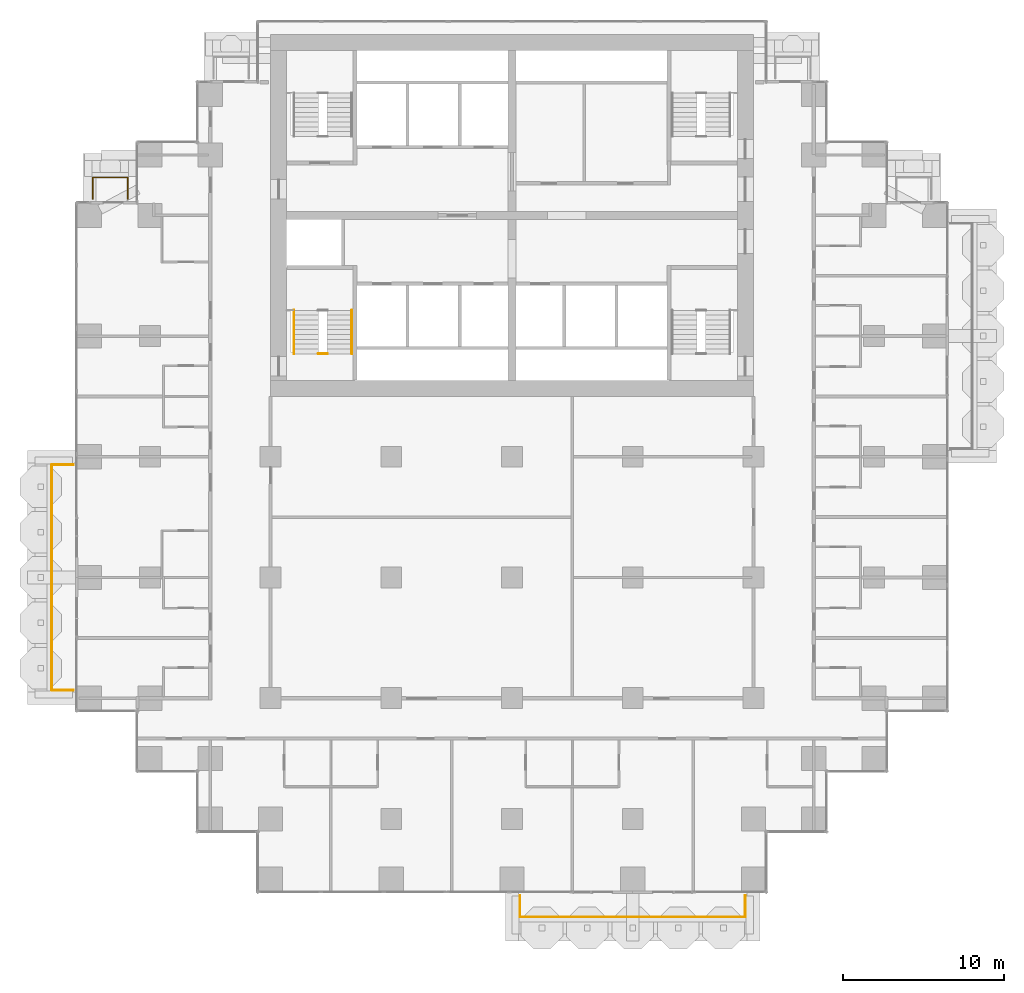
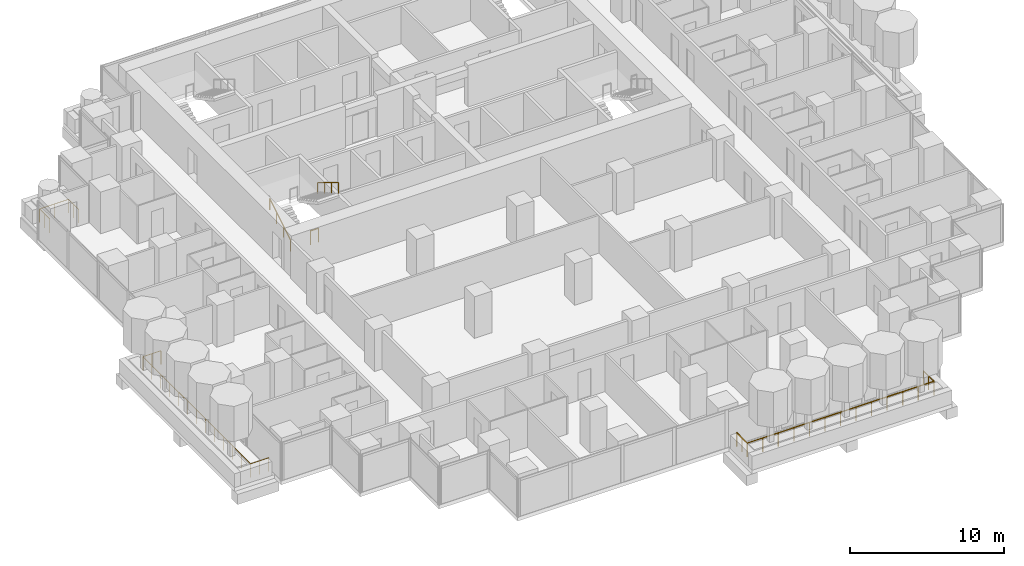
# One storey, part 17 of 19: 6 railings.
"""IFC4 building model written with IfcOpenShell, lengths in metres."""

from ifc_helpers import new_model, si_unit, direction, frame, origin, origin_2d, place, context, subcontext, project, spatial, circle, extrude, material, type_object, element, save


model = new_model("IFC4")

# Units and contexts
model_context = context("Model", 3, precision=1e-05, world=origin(), true_north=direction((0.0, 1.0)))
body_context = subcontext(model_context, "Body", "Model", "MODEL_VIEW")
ifc_project = project(units=[si_unit("LENGTHUNIT", "METRE"), si_unit("AREAUNIT", "SQUARE_METRE"), si_unit("VOLUMEUNIT", "CUBIC_METRE"), si_unit("PLANEANGLEUNIT", "RADIAN"), si_unit("MASSUNIT", "GRAM", prefix="KILO")], contexts=[model_context])

# Site, building, storey
site_placement = place(None, origin())
site = spatial("IfcSite", under=ifc_project, at=site_placement, CompositionType="ELEMENT")
building_placement = place(site_placement, origin())
building = spatial("IfcBuilding", under=site, at=building_placement, Name="Pilkhan Gate Tower", CompositionType="ELEMENT")
storey_placement = place(building_placement, frame((0.0, 0.0, 59.300048828125)))
storey = spatial("IfcBuildingStorey", under=building, at=storey_placement, Name="L12", CompositionType="ELEMENT", Elevation=59.300048828125)

# Railings
ifc_material_1 = material(Name="Pale anodised aluminium posts, laminated glass infill", Category="aluminium")
railing_type_1 = type_object("IfcRailingType", Name="Balcony guard G1", PredefinedType="BALUSTRADE", material=ifc_material_1)
railing_1_placement = place(storey_placement, frame((75.5, 40.25, 0.0)))
element("IfcRailing", 1, at=railing_1_placement, inside=storey, type_object=railing_type_1, Name="Balcony guard L12 S", PredefinedType="BALUSTRADE", context=body_context, shape_type="SweptSolid", body=[
    extrude(circle(Radius=0.02392578125, at=origin_2d()), frame((0.0, 0.0, 1.076171875), z_axis=(0.0, -1.0, 0.0), x_axis=(1.0, 0.0, 0.0)), (0.0, 0.0, 1.0), 1.35009765625),
    extrude(circle(Radius=0.02392578125, at=origin_2d()), frame((0.0, -1.35009765625, 1.076171875), z_axis=(1.0, 0.0, 0.0), x_axis=(0.0, 1.0, 0.0)), (0.0, 0.0, 1.0), 14.0),
    extrude(circle(Radius=0.02392578125, at=origin_2d()), frame((14.0, -1.35009765625, 1.076171875), z_axis=(0.0, 1.0, 0.0), x_axis=(-1.0, 0.0, 0.0)), (0.0, 0.0, 1.0), 1.35009765625),
    extrude(circle(Radius=0.02099609375, at=origin_2d()), origin(), (0.0, 0.0, 1.0), 1.052001953125),
    extrude(circle(Radius=0.02099609375, at=origin_2d()), frame((0.0, -0.675048828125, 0.0)), (0.0, 0.0, 1.0), 1.052001953125),
    extrude(circle(Radius=0.02099609375, at=origin_2d()), frame((0.0, -1.35009765625, 0.0)), (0.0, 0.0, 1.0), 1.052001953125),
    extrude(circle(Radius=0.02099609375, at=origin_2d()), frame((1.166748046875, -1.35009765625, 0.0)), (0.0, 0.0, 1.0), 1.052001953125),
    extrude(circle(Radius=0.02099609375, at=origin_2d()), frame((2.333251953125, -1.35009765625, 0.0)), (0.0, 0.0, 1.0), 1.052001953125),
    extrude(circle(Radius=0.02099609375, at=origin_2d()), frame((3.5, -1.35009765625, 0.0)), (0.0, 0.0, 1.0), 1.052001953125),
    extrude(circle(Radius=0.02099609375, at=origin_2d()), frame((4.666748046875, -1.35009765625, 0.0)), (0.0, 0.0, 1.0), 1.052001953125),
    extrude(circle(Radius=0.02099609375, at=origin_2d()), frame((5.833251953125, -1.35009765625, 0.0)), (0.0, 0.0, 1.0), 1.052001953125),
    extrude(circle(Radius=0.02099609375, at=origin_2d()), frame((7.0, -1.35009765625, 0.0)), (0.0, 0.0, 1.0), 1.052001953125),
    extrude(circle(Radius=0.02099609375, at=origin_2d()), frame((8.166748046875, -1.35009765625, 0.0)), (0.0, 0.0, 1.0), 1.052001953125),
    extrude(circle(Radius=0.02099609375, at=origin_2d()), frame((9.333251953125, -1.35009765625, 0.0)), (0.0, 0.0, 1.0), 1.052001953125),
    extrude(circle(Radius=0.02099609375, at=origin_2d()), frame((10.5, -1.35009765625, 0.0)), (0.0, 0.0, 1.0), 1.052001953125),
    extrude(circle(Radius=0.02099609375, at=origin_2d()), frame((11.666748046875, -1.35009765625, 0.0)), (0.0, 0.0, 1.0), 1.052001953125),
    extrude(circle(Radius=0.02099609375, at=origin_2d()), frame((12.833251953125, -1.35009765625, 0.0)), (0.0, 0.0, 1.0), 1.052001953125),
    extrude(circle(Radius=0.02099609375, at=origin_2d()), frame((14.0, -1.35009765625, 0.0)), (0.0, 0.0, 1.0), 1.052001953125),
    extrude(circle(Radius=0.02099609375, at=origin_2d()), frame((14.0, -0.675048828125, 0.0)), (0.0, 0.0, 1.0), 1.052001953125),
    extrude(circle(Radius=0.02099609375, at=origin_2d()), frame((14.0, 0.0, 0.0)), (0.0, 0.0, 1.0), 1.052001953125),
])
railing_2_placement = place(storey_placement, frame((48.949951171875, 83.52001953125, 0.0)))
element("IfcRailing", 2, at=railing_2_placement, inside=storey, type_object=railing_type_1, Name="Balcony guard L12 N", PredefinedType="BALUSTRADE", context=body_context, shape_type="SweptSolid", body=[
    extrude(circle(Radius=0.02392578125, at=origin_2d()), frame((0.0, 0.0, 1.076171875), z_axis=(0.0, 1.0, 0.0), x_axis=(-1.0, 0.0, 0.0)), (0.0, 0.0, 1.0), 1.330078125),
    extrude(circle(Radius=0.02392578125, at=origin_2d()), frame((0.0, 1.330078125, 1.076171875), z_axis=(1.0, 0.0, 0.0), x_axis=(0.0, 1.0, 0.0)), (0.0, 0.0, 1.0), 2.179931640625),
    extrude(circle(Radius=0.02392578125, at=origin_2d()), frame((2.179931640625, 1.330078125, 1.076171875), z_axis=(0.0, -1.0, 0.0), x_axis=(1.0, 0.0, 0.0)), (0.0, 0.0, 1.0), 1.330078125),
    extrude(circle(Radius=0.02099609375, at=origin_2d()), origin(), (0.0, 0.0, 1.0), 1.052001953125),
    extrude(circle(Radius=0.02099609375, at=origin_2d()), frame((0.0, 0.6650390625, 0.0)), (0.0, 0.0, 1.0), 1.052001953125),
    extrude(circle(Radius=0.02099609375, at=origin_2d()), frame((0.0, 1.330078125, 0.0)), (0.0, 0.0, 1.0), 1.052001953125),
    extrude(circle(Radius=0.02099609375, at=origin_2d()), frame((1.08984375, 1.330078125, 0.0)), (0.0, 0.0, 1.0), 1.052001953125),
    extrude(circle(Radius=0.02099609375, at=origin_2d()), frame((2.179931640625, 1.330078125, 0.0)), (0.0, 0.0, 1.0), 1.052001953125),
    extrude(circle(Radius=0.02099609375, at=origin_2d()), frame((2.179931640625, 0.6650390625, 0.0)), (0.0, 0.0, 1.0), 1.052001953125),
    extrude(circle(Radius=0.02099609375, at=origin_2d()), frame((2.179931640625, 0.0, 0.0)), (0.0, 0.0, 1.0), 1.052001953125),
])
railing_3_placement = place(storey_placement, frame((47.75, 53.0, 0.0)))
element("IfcRailing", 3, at=railing_3_placement, inside=storey, type_object=railing_type_1, Name="Balcony guard L12 W", PredefinedType="BALUSTRADE", context=body_context, shape_type="SweptSolid", body=[
    extrude(circle(Radius=0.02392578125, at=origin_2d()), frame((0.0, 0.0, 1.076171875), z_axis=(-1.0, 0.0, 0.0), x_axis=(0.0, -1.0, 0.0)), (0.0, 0.0, 1.0), 1.35009765625),
    extrude(circle(Radius=0.02392578125, at=origin_2d()), frame((-1.35009765625, 0.0, 1.076171875), z_axis=(0.0, 1.0, 0.0), x_axis=(-1.0, 0.0, 0.0)), (0.0, 0.0, 1.0), 14.0),
    extrude(circle(Radius=0.02392578125, at=origin_2d()), frame((-1.35009765625, 14.0, 1.076171875), z_axis=(1.0, 0.0, 0.0), x_axis=(0.0, 1.0, 0.0)), (0.0, 0.0, 1.0), 1.35009765625),
    extrude(circle(Radius=0.02099609375, at=origin_2d()), origin(), (0.0, 0.0, 1.0), 1.052001953125),
    extrude(circle(Radius=0.02099609375, at=origin_2d()), frame((-0.675048828125, 0.0, 0.0)), (0.0, 0.0, 1.0), 1.052001953125),
    extrude(circle(Radius=0.02099609375, at=origin_2d()), frame((-1.35009765625, 0.0, 0.0)), (0.0, 0.0, 1.0), 1.052001953125),
    extrude(circle(Radius=0.02099609375, at=origin_2d()), frame((-1.35009765625, 1.166748046875, 0.0)), (0.0, 0.0, 1.0), 1.052001953125),
    extrude(circle(Radius=0.02099609375, at=origin_2d()), frame((-1.35009765625, 2.333251953125, 0.0)), (0.0, 0.0, 1.0), 1.052001953125),
    extrude(circle(Radius=0.02099609375, at=origin_2d()), frame((-1.35009765625, 3.5, 0.0)), (0.0, 0.0, 1.0), 1.052001953125),
    extrude(circle(Radius=0.02099609375, at=origin_2d()), frame((-1.35009765625, 4.666748046875, 0.0)), (0.0, 0.0, 1.0), 1.052001953125),
    extrude(circle(Radius=0.02099609375, at=origin_2d()), frame((-1.35009765625, 5.833251953125, 0.0)), (0.0, 0.0, 1.0), 1.052001953125),
    extrude(circle(Radius=0.02099609375, at=origin_2d()), frame((-1.35009765625, 7.0, 0.0)), (0.0, 0.0, 1.0), 1.052001953125),
    extrude(circle(Radius=0.02099609375, at=origin_2d()), frame((-1.35009765625, 8.166748046875, 0.0)), (0.0, 0.0, 1.0), 1.052001953125),
    extrude(circle(Radius=0.02099609375, at=origin_2d()), frame((-1.35009765625, 9.333251953125, 0.0)), (0.0, 0.0, 1.0), 1.052001953125),
    extrude(circle(Radius=0.02099609375, at=origin_2d()), frame((-1.35009765625, 10.5, 0.0)), (0.0, 0.0, 1.0), 1.052001953125),
    extrude(circle(Radius=0.02099609375, at=origin_2d()), frame((-1.35009765625, 11.666748046875, 0.0)), (0.0, 0.0, 1.0), 1.052001953125),
    extrude(circle(Radius=0.02099609375, at=origin_2d()), frame((-1.35009765625, 12.833251953125, 0.0)), (0.0, 0.0, 1.0), 1.052001953125),
    extrude(circle(Radius=0.02099609375, at=origin_2d()), frame((-1.35009765625, 14.0, 0.0)), (0.0, 0.0, 1.0), 1.052001953125),
    extrude(circle(Radius=0.02099609375, at=origin_2d()), frame((-0.675048828125, 14.0, 0.0)), (0.0, 0.0, 1.0), 1.052001953125),
    extrude(circle(Radius=0.02099609375, at=origin_2d()), frame((0.0, 14.0, 0.0)), (0.0, 0.0, 1.0), 1.052001953125),
])
ifc_material_2 = material(Name="Black powder-coated steel tube", Category="steel")
railing_type_2 = type_object("IfcRailingType", Name="Stair handrail HR1", PredefinedType="HANDRAIL", material=ifc_material_2)
railing_4_placement = place(storey_placement, frame((61.449951171875, 73.89990234375, 0.0)))
element("IfcRailing", 4, at=railing_4_placement, inside=storey, type_object=railing_type_2, Name="Stair ST2 handrail L12", PredefinedType="HANDRAIL", context=body_context, shape_type="SweptSolid", body=[
    extrude(circle(Radius=0.02392578125, at=origin_2d()), frame((0.0, 0.0, 0.8759765625), z_axis=(0.0, 0.853312346642, 0.521400075823), x_axis=(-1.0, 0.0, 0.0)), (0.0, 0.0, 1.0), 3.164306640625),
    extrude(circle(Radius=0.02099609375, at=origin_2d()), origin(), (0.0, 0.0, 1.0), 0.851806640625),
    extrude(circle(Radius=0.02099609375, at=origin_2d()), frame((0.0, 0.900146484375, 0.550048828125)), (0.0, 0.0, 1.0), 0.851806640625),
    extrude(circle(Radius=0.02099609375, at=origin_2d()), frame((0.0, 1.800048828125, 1.099853515625)), (0.0, 0.0, 1.0), 0.851806640625),
    extrude(circle(Radius=0.02099609375, at=origin_2d()), frame((0.0, 2.7001953125, 1.64990234375)), (0.0, 0.0, 1.0), 0.851806640625),
])
railing_5_placement = place(storey_placement, frame((65.050048828125, 76.60009765625, 1.64990234375)))
element("IfcRailing", 5, at=railing_5_placement, inside=storey, type_object=railing_type_2, Name="Stair ST2 handrail L12", PredefinedType="HANDRAIL", context=body_context, shape_type="SweptSolid", body=[
    extrude(circle(Radius=0.02392578125, at=origin_2d()), frame((0.0, 0.0, 0.8759765625), z_axis=(0.0, -0.853278019476, 0.521456250781), x_axis=(1.0, 0.0, 0.0)), (0.0, 0.0, 1.0), 3.16455078125),
    extrude(circle(Radius=0.02099609375, at=origin_2d()), origin(), (0.0, 0.0, 1.0), 0.851806640625),
    extrude(circle(Radius=0.02099609375, at=origin_2d()), frame((0.0, -0.900146484375, 0.550048828125)), (0.0, 0.0, 1.0), 0.851806640625),
    extrude(circle(Radius=0.02099609375, at=origin_2d()), frame((0.0, -1.800048828125, 1.10009765625)), (0.0, 0.0, 1.0), 0.851806640625),
    extrude(circle(Radius=0.02099609375, at=origin_2d()), frame((0.0, -2.7001953125, 1.650146484375)), (0.0, 0.0, 1.0), 0.851806640625),
])
ifc_material_3 = material(Name="Black powder-coated steel balusters", Category="steel")
railing_type_3 = type_object("IfcRailingType", Name="Stair well guard G3", PredefinedType="GUARDRAIL", material=ifc_material_3)
railing_6_placement = place(storey_placement, frame((62.9599609375, 73.89990234375, 0.0)))
element("IfcRailing", 6, at=railing_6_placement, inside=storey, type_object=railing_type_3, Name="Stair ST2 well guard L12", PredefinedType="GUARDRAIL", context=body_context, shape_type="SweptSolid", body=[
    extrude(circle(Radius=0.02392578125, at=origin_2d()), frame((0.0, 0.0, 1.076171875), z_axis=(1.0, 0.0, 0.0), x_axis=(0.0, 1.0, 0.0)), (0.0, 0.0, 1.0), 0.580078125),
    extrude(circle(Radius=0.02099609375, at=origin_2d()), origin(), (0.0, 0.0, 1.0), 1.052001953125),
    extrude(circle(Radius=0.02099609375, at=origin_2d()), frame((0.580078125, 0.0, 0.0)), (0.0, 0.0, 1.0), 1.052001953125),
])

save(model, "model.ifc")
